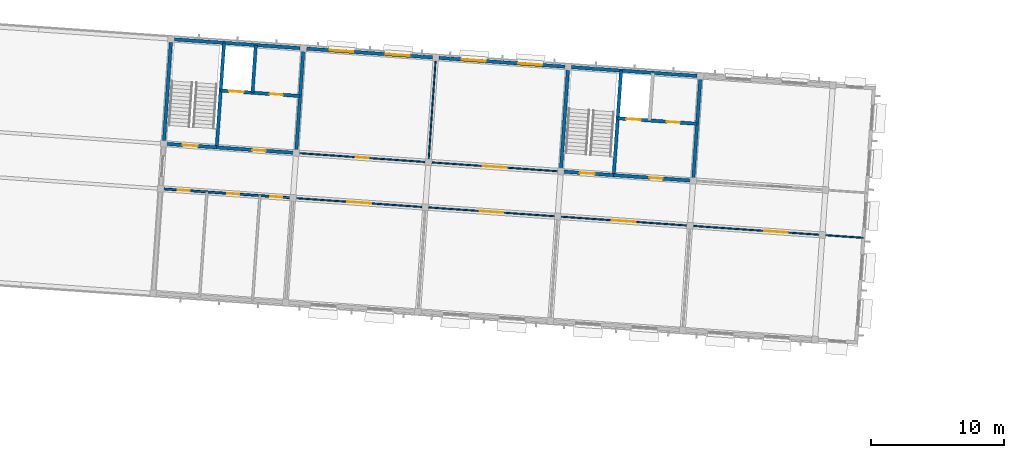
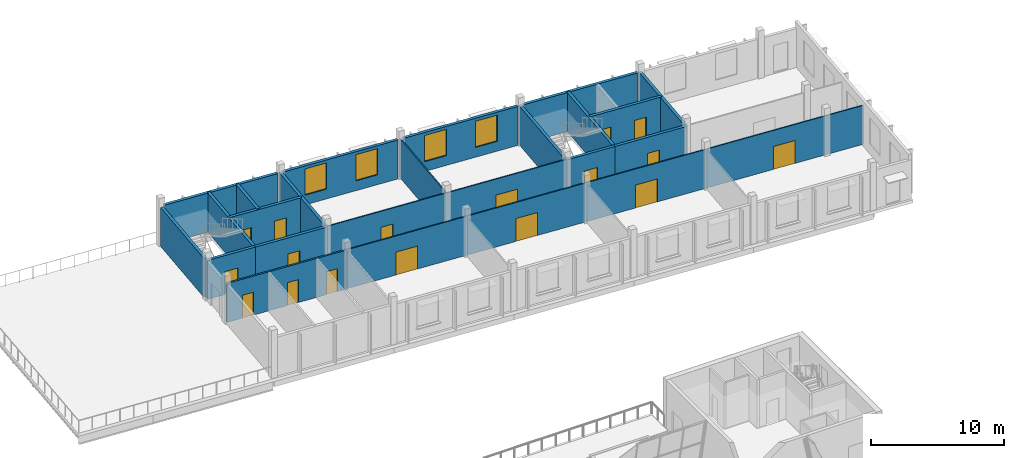
# One storey, part 37 of 58: 21 walls, 17 doors, 4 windows, 21 openings.
"""IFC4 building model written with IfcOpenShell, lengths in metres."""

from ifc_helpers import new_model, si_unit, direction, frame, frame_2d, origin, place, context, subcontext, project, spatial, rectangle, extrude, material, layer, layer_set, type_object, element, fill, save


model = new_model("IFC4")

# Units and contexts
model_context = context("Model", 3, precision=1e-05, world=origin(), true_north=direction((0.0, 1.0)))
body_context = subcontext(model_context, "Body", "Model", "MODEL_VIEW")
ifc_project = project(units=[si_unit("LENGTHUNIT", "METRE"), si_unit("AREAUNIT", "SQUARE_METRE"), si_unit("VOLUMEUNIT", "CUBIC_METRE"), si_unit("PLANEANGLEUNIT", "RADIAN"), si_unit("MASSUNIT", "GRAM", prefix="KILO")], contexts=[model_context])

# Site, building, storey
site_placement = place(None, origin())
site = spatial("IfcSite", under=ifc_project, at=site_placement, CompositionType="ELEMENT")
building_placement = place(site_placement, origin())
building = spatial("IfcBuilding", under=site, at=building_placement, Name="Windward Yard Aquatics Centre", CompositionType="ELEMENT")
storey_placement = place(building_placement, frame((0.0, 0.0, 13.800048828125)))
storey = spatial("IfcBuildingStorey", under=building, at=storey_placement, Name="L03", CompositionType="ELEMENT", Elevation=13.800048828125)

# Walls
ifc_material_1 = material(Name="Concrete C40/50", Category="concrete")
ifc_layer_1 = layer(ifc_material_1, 0.25)
ifc_layer_set_1 = layer_set([ifc_layer_1], Name="W RC core wall 250 Concrete C40/50")
wall_type_1 = type_object("IfcWallType", Name="W RC core wall 250 Concrete C40/50", PredefinedType="SOLIDWALL", material=ifc_layer_set_1)
for number, where, z_axis, x_axis, name in (
    (1, (119.427490234375, 135.30322265625, 0.0), (0.0, 0.0, 1.0), (0.997564674448, -0.06974754686, 0.0), "W.FW.L03.N.46.8"),
    (2, (149.3544921875, 133.210693359375, 0.0), (0.0, 0.0, 1.0), (0.997562886035, -0.069773120941, 0.0), "W.FW.L03.N.76.8"),
):
    element("IfcWall", number, at=place(storey_placement, frame(where, z_axis=z_axis, x_axis=x_axis)), inside=storey, type_object=wall_type_1, Name=name, PredefinedType="SOLIDWALL", context=body_context, shape_type="SweptSolid", body=[
        extrude(rectangle(XDim=9.5, YDim=0.25, at=frame_2d((4.75, 0.0))), origin(), (0.0, 0.0, 1.0), 3.570068359375),
    ])
wall_1_placement = place(storey_placement, frame((118.64453125, 127.689453125, 0.0), z_axis=(0.0, 0.0, 1.0), x_axis=(0.069746391472, 0.99756475523, 0.0)))
element("IfcWall", 3, at=wall_1_placement, inside=storey, type_object=wall_type_1, Name="W.FW.L03.W.11.9", PredefinedType="SOLIDWALL", context=body_context, shape_type="SweptSolid", body=[
    extrude(rectangle(XDim=7.39990234375, YDim=0.25, at=frame_2d((3.699951171875, 0.0))), origin(), (0.0, 0.0, 1.0), 3.570068359375),
])
wall_2_placement = place(storey_placement, frame((122.617431640625, 127.160888671875, 0.0), z_axis=(0.0, 0.0, 1.0), x_axis=(0.0697491702, 0.997564560947, 0.0)))
element("IfcWall", 4, at=wall_2_placement, inside=storey, type_object=wall_type_1, Name="W.WL.L03.002", PredefinedType="SOLIDWALL", context=body_context, shape_type="SweptSolid", body=[
    extrude(rectangle(XDim=7.900146484375, YDim=0.25, at=frame_2d((3.9501953125, 0.0))), origin(), (0.0, 0.0, 1.0), 3.570068359375),
])
wall_3_placement = place(storey_placement, frame((125.3115234375, 131.283203125, 0.0), z_axis=(0.0, 0.0, 1.0), x_axis=(0.069719119461, 0.997566661623, 0.0)))
element("IfcWall", 5, at=wall_3_placement, inside=storey, type_object=wall_type_1, Name="W.WL.L03.003", PredefinedType="SOLIDWALL", context=body_context, shape_type="SweptSolid", body=[
    extrude(rectangle(XDim=3.599853515625, YDim=0.25, at=frame_2d((1.7998046875, 0.0))), origin(), (0.0, 0.0, 1.0), 3.570068359375),
])
wall_4_placement = place(storey_placement, frame((128.602783203125, 126.742431640625, 0.0), z_axis=(0.0, 0.0, 1.0), x_axis=(0.0697491702, 0.997564560947, 0.0)))
element("IfcWall", 6, at=wall_4_placement, inside=storey, type_object=wall_type_1, Name="W.WL.L03.006", PredefinedType="SOLIDWALL", context=body_context, shape_type="SweptSolid", body=[
    extrude(rectangle(XDim=7.900146484375, YDim=0.25, at=frame_2d((3.9501953125, 0.0))), origin(), (0.0, 0.0, 1.0), 3.570068359375),
])
for number, where, z_axis, x_axis, name in (
    (7, (148.553955078125, 125.347412109375, 0.0), (0.0, 0.0, 1.0), (0.069751320509, 0.997564410596, 0.0), "W.WL.L03.010"),
    (8, (152.544189453125, 125.068359375, 0.0), (0.0, 0.0, 1.0), (0.069782074492, 0.997562259751, 0.0), "W.WL.L03.011"),
):
    element("IfcWall", number, at=place(storey_placement, frame(where, z_axis=z_axis, x_axis=x_axis)), inside=storey, type_object=wall_type_1, Name=name, PredefinedType="SOLIDWALL", context=body_context, shape_type="SweptSolid", body=[
        extrude(rectangle(XDim=7.89990234375, YDim=0.25, at=frame_2d((3.949951171875, 0.0))), origin(), (0.0, 0.0, 1.0), 3.570068359375),
    ])
wall_5_placement = place(storey_placement, frame((158.52978515625, 124.649658203125, 0.0), z_axis=(0.0, 0.0, 1.0), x_axis=(0.0697491702, 0.997564560947, 0.0)))
element("IfcWall", 9, at=wall_5_placement, inside=storey, type_object=wall_type_1, Name="W.WL.L03.014", PredefinedType="SOLIDWALL", context=body_context, shape_type="SweptSolid", body=[
    extrude(rectangle(XDim=7.900146484375, YDim=0.25, at=frame_2d((3.9501953125, 0.0))), origin(), (0.0, 0.0, 1.0), 3.570068359375),
])

# Wall, opening, door
wall_6_placement = place(storey_placement, frame((118.627197265625, 127.43994140625, 0.0), z_axis=(0.0, 0.0, 1.0), x_axis=(0.997563556766, -0.069763530677, 0.0)))
wall_6 = element("IfcWall", 10, at=wall_6_placement, inside=storey, type_object=wall_type_1, Name="W.WL.L03.017", PredefinedType="SOLIDWALL", context=body_context, shape_type="SweptSolid", body=[
    extrude(rectangle(XDim=4.0, YDim=0.25, at=frame_2d((2.0, 0.0))), origin(), (0.0, 0.0, 1.0), 3.570068359375),
])
opening_1_placement = place(wall_6_placement, frame((1.449951171875, 0.0, 0.0)))
opening_1 = element("IfcOpeningElement", 11, at=opening_1_placement, cuts=wall_6, Name="Opening W3012", PredefinedType="OPENING", context=body_context, shape_type="SweptSolid", body=[
    extrude(rectangle(XDim=1.10009765625, YDim=2.10009765625, at=frame_2d((0.550048828125, 1.050048828125))), frame((0.0, 0.135009765625, 0.0), z_axis=(0.0, -1.0, 0.0), x_axis=(1.0, 0.0, 0.0)), (0.0, 0.0, 1.0), 0.27001953125),
])
ifc_material_2 = material(Name="Steel fire door leaf", Category="steel")
door_type_1 = type_object("IfcDoorType", Name="W stair door FD60 1100x2100", OperationType="SINGLE_SWING_LEFT", PredefinedType="DOOR", material=ifc_material_2)
door_1_placement = place(opening_1_placement, origin())
door_1 = element("IfcDoor", 12, at=door_1_placement, inside=storey, type_object=door_type_1, Name="W.DRI.L03.011", OperationType="SINGLE_SWING_RIGHT", OverallHeight=2.10009765625, OverallWidth=1.10009765625, PredefinedType="DOOR", context=body_context, shape_type="SweptSolid", body=[
    extrude(rectangle(XDim=1.10009765625, YDim=2.10009765625, at=frame_2d((0.550048828125, 1.050048828125))), frame((0.0, 0.02490234375, 0.0), z_axis=(0.0, -1.0, 0.0), x_axis=(1.0, 0.0, 0.0)), (0.0, 0.0, 1.0), 0.050048828125),
])
fill(opening_1, door_1)

wall_7_placement = place(storey_placement, frame((122.617431640625, 127.160888671875, 0.0), z_axis=(0.0, 0.0, 1.0), x_axis=(0.997564972454, -0.069743284499, 0.0)))
wall_7 = element("IfcWall", 13, at=wall_7_placement, inside=storey, type_object=wall_type_1, Name="W.WL.L03.018", PredefinedType="SOLIDWALL", context=body_context, shape_type="SweptSolid", body=[
    extrude(rectangle(XDim=6.0, YDim=0.25, at=frame_2d((3.0, 0.0))), origin(), (0.0, 0.0, 1.0), 3.570068359375),
])
opening_2_placement = place(wall_7_placement, frame((2.699951171875, 0.0, 0.0)))
opening_2 = element("IfcOpeningElement", 14, at=opening_2_placement, cuts=wall_7, Name="Opening W3013", PredefinedType="OPENING", context=body_context, shape_type="SweptSolid", body=[
    extrude(rectangle(XDim=1.0, YDim=2.10009765625, at=frame_2d((0.5, 1.050048828125))), frame((0.0, 0.135009765625, 0.0), z_axis=(0.0, -1.0, 0.0), x_axis=(1.0, 0.0, 0.0)), (0.0, 0.0, 1.0), 0.27001953125),
])
door_type_2 = type_object("IfcDoorType", Name="W fire door FD60 1000x2100", OperationType="SINGLE_SWING_LEFT", PredefinedType="DOOR", material=ifc_material_2)
door_2_placement = place(opening_2_placement, origin())
door_2 = element("IfcDoor", 15, at=door_2_placement, inside=storey, type_object=door_type_2, Name="W.DRI.L03.012", OperationType="SINGLE_SWING_LEFT", OverallHeight=2.10009765625, OverallWidth=1.0, PredefinedType="DOOR", context=body_context, shape_type="SweptSolid", body=[
    extrude(rectangle(XDim=1.0, YDim=2.10009765625, at=frame_2d((0.5, 1.050048828125))), frame((0.0, 0.02490234375, 0.0), z_axis=(0.0, -1.0, 0.0), x_axis=(1.0, 0.0, 0.0)), (0.0, 0.0, 1.0), 0.050048828125),
])
fill(opening_2, door_2)

wall_8_placement = place(storey_placement, frame((148.553955078125, 125.347412109375, 0.0), z_axis=(0.0, 0.0, 1.0), x_axis=(0.997563556766, -0.069763530677, 0.0)))
wall_8 = element("IfcWall", 16, at=wall_8_placement, inside=storey, type_object=wall_type_1, Name="W.WL.L03.020", PredefinedType="SOLIDWALL", context=body_context, shape_type="SweptSolid", body=[
    extrude(rectangle(XDim=4.0, YDim=0.25, at=frame_2d((2.0, 0.0))), origin(), (0.0, 0.0, 1.0), 3.570068359375),
])
opening_3_placement = place(wall_8_placement, frame((1.449951171875, 0.0, 0.0)))
opening_3 = element("IfcOpeningElement", 17, at=opening_3_placement, cuts=wall_8, Name="Opening W3016", PredefinedType="OPENING", context=body_context, shape_type="SweptSolid", body=[
    extrude(rectangle(XDim=1.10009765625, YDim=2.10009765625, at=frame_2d((0.550048828125, 1.050048828125))), frame((0.0, 0.135009765625, 0.0), z_axis=(0.0, -1.0, 0.0), x_axis=(1.0, 0.0, 0.0)), (0.0, 0.0, 1.0), 0.27001953125),
])
door_3_placement = place(opening_3_placement, origin())
door_3 = element("IfcDoor", 18, at=door_3_placement, inside=storey, type_object=door_type_1, Name="W.DRI.L03.015", OperationType="SINGLE_SWING_RIGHT", OverallHeight=2.10009765625, OverallWidth=1.10009765625, PredefinedType="DOOR", context=body_context, shape_type="SweptSolid", body=[
    extrude(rectangle(XDim=1.10009765625, YDim=2.10009765625, at=frame_2d((0.550048828125, 1.050048828125))), frame((0.0, 0.02490234375, 0.0), z_axis=(0.0, -1.0, 0.0), x_axis=(1.0, 0.0, 0.0)), (0.0, 0.0, 1.0), 0.050048828125),
])
fill(opening_3, door_3)

wall_9_placement = place(storey_placement, frame((152.544189453125, 125.068359375, 0.0), z_axis=(0.0, 0.0, 1.0), x_axis=(0.997562338811, -0.069780944286, 0.0)))
wall_9 = element("IfcWall", 19, at=wall_9_placement, inside=storey, type_object=wall_type_1, Name="W.WL.L03.021", PredefinedType="SOLIDWALL", context=body_context, shape_type="SweptSolid", body=[
    extrude(rectangle(XDim=6.000244140625, YDim=0.25, at=frame_2d((3.0, 0.0))), origin(), (0.0, 0.0, 1.0), 3.570068359375),
])
opening_4_placement = place(wall_9_placement, frame((2.699951171875, 0.0, 0.0)))
opening_4 = element("IfcOpeningElement", 20, at=opening_4_placement, cuts=wall_9, Name="Opening W3017", PredefinedType="OPENING", context=body_context, shape_type="SweptSolid", body=[
    extrude(rectangle(XDim=1.0, YDim=2.10009765625, at=frame_2d((0.5, 1.050048828125))), frame((0.0, 0.135009765625, 0.0), z_axis=(0.0, -1.0, 0.0), x_axis=(1.0, 0.0, 0.0)), (0.0, 0.0, 1.0), 0.27001953125),
])
door_4_placement = place(opening_4_placement, origin())
door_4 = element("IfcDoor", 21, at=door_4_placement, inside=storey, type_object=door_type_2, Name="W.DRI.L03.016", OperationType="SINGLE_SWING_LEFT", OverallHeight=2.10009765625, OverallWidth=1.0, PredefinedType="DOOR", context=body_context, shape_type="SweptSolid", body=[
    extrude(rectangle(XDim=1.0, YDim=2.10009765625, at=frame_2d((0.5, 1.050048828125))), frame((0.0, 0.02490234375, 0.0), z_axis=(0.0, -1.0, 0.0), x_axis=(1.0, 0.0, 0.0)), (0.0, 0.0, 1.0), 0.050048828125),
])
fill(opening_4, door_4)

# Wall, openings, doors
wall_10_placement = place(storey_placement, frame((122.917236328125, 131.450439453125, 0.0), z_axis=(0.0, 0.0, 1.0), x_axis=(0.997564972454, -0.069743284499, 0.0)))
wall_10 = element("IfcWall", 22, at=wall_10_placement, inside=storey, type_object=wall_type_1, Name="W.WL.L03.023", PredefinedType="SOLIDWALL", context=body_context, shape_type="SweptSolid", body=[
    extrude(rectangle(XDim=6.0, YDim=0.25, at=frame_2d((3.0, 0.0))), origin(), (0.0, 0.0, 1.0), 3.570068359375),
])
opening_5_placement = place(wall_10_placement, frame((3.699951171875, 0.0, 0.0)))
opening_5 = element("IfcOpeningElement", 23, at=opening_5_placement, cuts=wall_10, Name="Opening W3014", PredefinedType="OPENING", context=body_context, shape_type="SweptSolid", body=[
    extrude(rectangle(XDim=1.0, YDim=2.10009765625, at=frame_2d((0.5, 1.050048828125))), frame((0.0, 0.135009765625, 0.0), z_axis=(0.0, -1.0, 0.0), x_axis=(1.0, 0.0, 0.0)), (0.0, 0.0, 1.0), 0.27001953125),
])
opening_6_placement = place(wall_10_placement, frame((0.64990234375, 0.0, 0.0)))
opening_6 = element("IfcOpeningElement", 24, at=opening_6_placement, cuts=wall_10, Name="Opening W3015", PredefinedType="OPENING", context=body_context, shape_type="SweptSolid", body=[
    extrude(rectangle(XDim=1.10009765625, YDim=2.10009765625, at=frame_2d((0.550048828125, 1.050048828125))), frame((0.0, 0.135009765625, 0.0), z_axis=(0.0, -1.0, 0.0), x_axis=(1.0, 0.0, 0.0)), (0.0, 0.0, 1.0), 0.27001953125),
])
door_5_placement = place(opening_5_placement, origin())
door_5 = element("IfcDoor", 25, at=door_5_placement, inside=storey, type_object=door_type_2, Name="W.DRI.L03.013", OperationType="SINGLE_SWING_RIGHT", OverallHeight=2.10009765625, OverallWidth=1.0, PredefinedType="DOOR", context=body_context, shape_type="SweptSolid", body=[
    extrude(rectangle(XDim=1.0, YDim=2.10009765625, at=frame_2d((0.5, 1.050048828125))), frame((0.0, 0.02490234375, 0.0), z_axis=(0.0, -1.0, 0.0), x_axis=(1.0, 0.0, 0.0)), (0.0, 0.0, 1.0), 0.050048828125),
])
fill(opening_5, door_5)
ifc_material_3 = material(Name="Stainless steel sliding door leaf", Category="steel")
door_type_3 = type_object("IfcDoorType", Name="W lift landing door 1100x2100", OperationType="SLIDING_TO_LEFT", PredefinedType="DOOR", material=ifc_material_3)
door_6_placement = place(opening_6_placement, origin())
door_6 = element("IfcDoor", 26, at=door_6_placement, inside=storey, type_object=door_type_3, Name="Landing door W L03", OperationType="SLIDING_TO_LEFT", OverallHeight=2.10009765625, OverallWidth=1.10009765625, PredefinedType="DOOR", context=body_context, shape_type="SweptSolid", body=[
    extrude(rectangle(XDim=1.10009765625, YDim=2.10009765625, at=frame_2d((0.550048828125, 1.050048828125))), frame((0.0, 0.02490234375, 0.0), z_axis=(0.0, -1.0, 0.0), x_axis=(1.0, 0.0, 0.0)), (0.0, 0.0, 1.0), 0.050048828125),
])
fill(opening_6, door_6)

wall_11_placement = place(storey_placement, frame((152.84423828125, 129.35791015625, 0.0), z_axis=(0.0, 0.0, 1.0), x_axis=(0.997562140671, -0.069783776768, 0.0)))
wall_11 = element("IfcWall", 27, at=wall_11_placement, inside=storey, type_object=wall_type_1, Name="W.WL.L03.024", PredefinedType="SOLIDWALL", context=body_context, shape_type="SweptSolid", body=[
    extrude(rectangle(XDim=6.0, YDim=0.25, at=frame_2d((3.0, 0.0))), origin(), (0.0, 0.0, 1.0), 3.570068359375),
])
opening_7_placement = place(wall_11_placement, frame((3.699951171875, 0.0, 0.0)))
opening_7 = element("IfcOpeningElement", 28, at=opening_7_placement, cuts=wall_11, Name="Opening W3018", PredefinedType="OPENING", context=body_context, shape_type="SweptSolid", body=[
    extrude(rectangle(XDim=1.0, YDim=2.10009765625, at=frame_2d((0.5, 1.050048828125))), frame((0.0, 0.135009765625, 0.0), z_axis=(0.0, -1.0, 0.0), x_axis=(1.0, 0.0, 0.0)), (0.0, 0.0, 1.0), 0.27001953125),
])
opening_8_placement = place(wall_11_placement, frame((0.64990234375, 0.0, 0.0)))
opening_8 = element("IfcOpeningElement", 29, at=opening_8_placement, cuts=wall_11, Name="Opening W3019", PredefinedType="OPENING", context=body_context, shape_type="SweptSolid", body=[
    extrude(rectangle(XDim=1.10009765625, YDim=2.10009765625, at=frame_2d((0.550048828125, 1.050048828125))), frame((0.0, 0.135009765625, 0.0), z_axis=(0.0, -1.0, 0.0), x_axis=(1.0, 0.0, 0.0)), (0.0, 0.0, 1.0), 0.27001953125),
])
door_7_placement = place(opening_7_placement, origin())
door_7 = element("IfcDoor", 30, at=door_7_placement, inside=storey, type_object=door_type_2, Name="W.DRI.L03.017", OperationType="SINGLE_SWING_RIGHT", OverallHeight=2.10009765625, OverallWidth=1.0, PredefinedType="DOOR", context=body_context, shape_type="SweptSolid", body=[
    extrude(rectangle(XDim=1.0, YDim=2.10009765625, at=frame_2d((0.5, 1.050048828125))), frame((0.0, 0.02490234375, 0.0), z_axis=(0.0, -1.0, 0.0), x_axis=(1.0, 0.0, 0.0)), (0.0, 0.0, 1.0), 0.050048828125),
])
fill(opening_7, door_7)
door_8_placement = place(opening_8_placement, origin())
door_8 = element("IfcDoor", 31, at=door_8_placement, inside=storey, type_object=door_type_3, Name="Landing door E L03", OperationType="SLIDING_TO_LEFT", OverallHeight=2.10009765625, OverallWidth=1.10009765625, PredefinedType="DOOR", context=body_context, shape_type="SweptSolid", body=[
    extrude(rectangle(XDim=1.10009765625, YDim=2.10009765625, at=frame_2d((0.550048828125, 1.050048828125))), frame((0.0, 0.02490234375, 0.0), z_axis=(0.0, -1.0, 0.0), x_axis=(1.0, 0.0, 0.0)), (0.0, 0.0, 1.0), 0.050048828125),
])
fill(opening_8, door_8)

# Wall, openings, windows
ifc_layer_2 = layer(ifc_material_1, 0.25)
ifc_layer_set_2 = layer_set([ifc_layer_2], Name="W facade wall 250 Precast Concrete C40/50")
wall_type_2 = type_object("IfcWallType", Name="W facade wall 250 Precast Concrete C40/50", PredefinedType="SOLIDWALL", material=ifc_layer_set_2)
wall_12_placement = place(storey_placement, frame((129.4033203125, 134.605712890625, 0.0), z_axis=(0.0, 0.0, 1.0), x_axis=(0.997564674448, -0.06974754686, 0.0)))
wall_12 = element("IfcWall", 32, at=wall_12_placement, inside=storey, type_object=wall_type_2, Name="W.FW.L03.N.56.8", PredefinedType="SOLIDWALL", context=body_context, shape_type="SweptSolid", body=[
    extrude(rectangle(XDim=9.5, YDim=0.25, at=frame_2d((4.75, 0.0))), origin(), (0.0, 0.0, 1.0), 3.570068359375),
])
opening_9_placement = place(wall_12_placement, frame((1.72509765625, 0.0, 0.89990234375)))
opening_9 = element("IfcOpeningElement", 33, at=opening_9_placement, cuts=wall_12, Name="Opening W3510", PredefinedType="OPENING", context=body_context, shape_type="SweptSolid", body=[
    extrude(rectangle(XDim=1.800048828125, YDim=2.39990234375, at=frame_2d((0.89990234375, 1.199951171875))), frame((0.0, 0.135009765625, 0.0), z_axis=(0.0, -1.0, 0.0), x_axis=(1.0, 0.0, 0.0)), (0.0, 0.0, 1.0), 0.27001953125),
])
opening_10_placement = place(wall_12_placement, frame((5.97509765625, 0.0, 0.89990234375)))
opening_10 = element("IfcOpeningElement", 34, at=opening_10_placement, cuts=wall_12, Name="Opening W3511", PredefinedType="OPENING", context=body_context, shape_type="SweptSolid", body=[
    extrude(rectangle(XDim=1.800048828125, YDim=2.39990234375, at=frame_2d((0.89990234375, 1.199951171875))), frame((0.0, 0.135009765625, 0.0), z_axis=(0.0, -1.0, 0.0), x_axis=(1.0, 0.0, 0.0)), (0.0, 0.0, 1.0), 0.27001953125),
])
ifc_material_4 = material(Name="Aluminium framed glazing", Category="aluminium")
window_type = type_object("IfcWindowType", Name="W window 1800x2400", PartitioningType="SINGLE_PANEL", PredefinedType="WINDOW", material=ifc_material_4)
window_1_placement = place(opening_9_placement, origin())
window_1 = element("IfcWindow", 35, at=window_1_placement, inside=storey, type_object=window_type, Name="W.WN.L03.W3510", OverallHeight=2.39990234375, OverallWidth=1.800048828125, PartitioningType="SINGLE_PANEL", PredefinedType="WINDOW", context=body_context, shape_type="SweptSolid", body=[
    extrude(rectangle(XDim=1.800048828125, YDim=2.39990234375, at=frame_2d((0.89990234375, 1.199951171875))), frame((0.0, 0.030029296875, 0.0), z_axis=(0.0, -1.0, 0.0), x_axis=(1.0, 0.0, 0.0)), (0.0, 0.0, 1.0), 0.06005859375),
])
fill(opening_9, window_1)
window_2_placement = place(opening_10_placement, origin())
window_2 = element("IfcWindow", 36, at=window_2_placement, inside=storey, type_object=window_type, Name="W.WN.L03.W3511", OverallHeight=2.39990234375, OverallWidth=1.800048828125, PartitioningType="SINGLE_PANEL", PredefinedType="WINDOW", context=body_context, shape_type="SweptSolid", body=[
    extrude(rectangle(XDim=1.800048828125, YDim=2.39990234375, at=frame_2d((0.89990234375, 1.199951171875))), frame((0.0, 0.030029296875, 0.0), z_axis=(0.0, -1.0, 0.0), x_axis=(1.0, 0.0, 0.0)), (0.0, 0.0, 1.0), 0.06005859375),
])
fill(opening_10, window_2)

wall_13_placement = place(storey_placement, frame((139.37890625, 133.908203125, 0.0), z_axis=(0.0, 0.0, 1.0), x_axis=(0.997564674448, -0.06974754686, 0.0)))
wall_13 = element("IfcWall", 37, at=wall_13_placement, inside=storey, type_object=wall_type_2, Name="W.FW.L03.N.66.8", PredefinedType="SOLIDWALL", context=body_context, shape_type="SweptSolid", body=[
    extrude(rectangle(XDim=9.5, YDim=0.25, at=frame_2d((4.75, 0.0))), origin(), (0.0, 0.0, 1.0), 3.570068359375),
])
opening_11_placement = place(wall_13_placement, frame((1.72509765625, 0.0, 0.89990234375)))
opening_11 = element("IfcOpeningElement", 38, at=opening_11_placement, cuts=wall_13, Name="Opening W3512", PredefinedType="OPENING", context=body_context, shape_type="SweptSolid", body=[
    extrude(rectangle(XDim=1.800048828125, YDim=2.39990234375, at=frame_2d((0.89990234375, 1.199951171875))), frame((0.0, 0.135009765625, 0.0), z_axis=(0.0, -1.0, 0.0), x_axis=(1.0, 0.0, 0.0)), (0.0, 0.0, 1.0), 0.27001953125),
])
opening_12_placement = place(wall_13_placement, frame((5.97509765625, 0.0, 0.89990234375)))
opening_12 = element("IfcOpeningElement", 39, at=opening_12_placement, cuts=wall_13, Name="Opening W3513", PredefinedType="OPENING", context=body_context, shape_type="SweptSolid", body=[
    extrude(rectangle(XDim=1.800048828125, YDim=2.39990234375, at=frame_2d((0.89990234375, 1.199951171875))), frame((0.0, 0.135009765625, 0.0), z_axis=(0.0, -1.0, 0.0), x_axis=(1.0, 0.0, 0.0)), (0.0, 0.0, 1.0), 0.27001953125),
])
window_3_placement = place(opening_11_placement, origin())
window_3 = element("IfcWindow", 40, at=window_3_placement, inside=storey, type_object=window_type, Name="W.WN.L03.W3512", OverallHeight=2.39990234375, OverallWidth=1.800048828125, PartitioningType="SINGLE_PANEL", PredefinedType="WINDOW", context=body_context, shape_type="SweptSolid", body=[
    extrude(rectangle(XDim=1.800048828125, YDim=2.39990234375, at=frame_2d((0.89990234375, 1.199951171875))), frame((0.0, 0.030029296875, 0.0), z_axis=(0.0, -1.0, 0.0), x_axis=(1.0, 0.0, 0.0)), (0.0, 0.0, 1.0), 0.06005859375),
])
fill(opening_11, window_3)
window_4_placement = place(opening_12_placement, origin())
window_4 = element("IfcWindow", 41, at=window_4_placement, inside=storey, type_object=window_type, Name="W.WN.L03.W3513", OverallHeight=2.39990234375, OverallWidth=1.800048828125, PartitioningType="SINGLE_PANEL", PredefinedType="WINDOW", context=body_context, shape_type="SweptSolid", body=[
    extrude(rectangle(XDim=1.800048828125, YDim=2.39990234375, at=frame_2d((0.89990234375, 1.199951171875))), frame((0.0, 0.030029296875, 0.0), z_axis=(0.0, -1.0, 0.0), x_axis=(1.0, 0.0, 0.0)), (0.0, 0.0, 1.0), 0.06005859375),
])
fill(opening_12, window_4)

# Wall
ifc_material_5 = material(Name="Plasterboard on steel stud partition", Category="steel")
ifc_layer_3 = layer(ifc_material_5, 0.10009765625)
ifc_layer_set_3 = layer_set([ifc_layer_3], Name="W partition 100")
wall_type_3 = type_object("IfcWallType", Name="W partition 100", PredefinedType="PARTITIONING", material=ifc_layer_set_3)
wall_14_placement = place(storey_placement, frame((138.578369140625, 126.044921875, 0.0), z_axis=(0.0, 0.0, 1.0), x_axis=(0.069751320509, 0.997564410596, 0.0)))
element("IfcWall", 42, at=wall_14_placement, inside=storey, type_object=wall_type_3, Name="W.WL.L03.008", PredefinedType="PARTITIONING", context=body_context, shape_type="SweptSolid", body=[
    extrude(rectangle(XDim=7.89990234375, YDim=0.10009765625, at=frame_2d((3.949951171875, 0.0))), origin(), (0.0, 0.0, 1.0), 3.570068359375),
])

# Wall, openings, doors
wall_15_placement = place(storey_placement, frame((128.365478515625, 123.3505859375, 0.0), z_axis=(0.0, 0.0, 1.0), x_axis=(0.997564314742, -0.06975269137, 0.0)))
wall_15 = element("IfcWall", 43, at=wall_15_placement, inside=storey, type_object=wall_type_3, Name="W.WL.L03.016", PredefinedType="PARTITIONING", context=body_context, shape_type="SweptSolid", body=[
    extrude(rectangle(XDim=43.10009765625, YDim=0.10009765625, at=frame_2d((21.550048828125, 0.0))), origin(), (0.0, 0.0, 1.0), 3.570068359375),
])
opening_13_placement = place(wall_15_placement, frame((4.10009765625, 0.0, 0.0)))
opening_13 = element("IfcOpeningElement", 44, at=opening_13_placement, cuts=wall_15, Name="Opening W3005", PredefinedType="OPENING", context=body_context, shape_type="SweptSolid", body=[
    extrude(rectangle(XDim=1.800048828125, YDim=2.10009765625, at=frame_2d((0.89990234375, 1.050048828125))), frame((0.0, 0.06005859375, 0.0), z_axis=(0.0, -1.0, 0.0), x_axis=(1.0, 0.0, 0.0)), (0.0, 0.0, 1.0), 0.1201171875),
])
opening_14_placement = place(wall_15_placement, frame((14.10009765625, 0.0, 0.0)))
opening_14 = element("IfcOpeningElement", 45, at=opening_14_placement, cuts=wall_15, Name="Opening W3006", PredefinedType="OPENING", context=body_context, shape_type="SweptSolid", body=[
    extrude(rectangle(XDim=1.800048828125, YDim=2.10009765625, at=frame_2d((0.89990234375, 1.050048828125))), frame((0.0, 0.06005859375, 0.0), z_axis=(0.0, -1.0, 0.0), x_axis=(1.0, 0.0, 0.0)), (0.0, 0.0, 1.0), 0.1201171875),
])
opening_15_placement = place(wall_15_placement, frame((24.10009765625, 0.0, 0.0)))
opening_15 = element("IfcOpeningElement", 46, at=opening_15_placement, cuts=wall_15, Name="Opening W3007", PredefinedType="OPENING", context=body_context, shape_type="SweptSolid", body=[
    extrude(rectangle(XDim=1.800048828125, YDim=2.10009765625, at=frame_2d((0.89990234375, 1.050048828125))), frame((0.0, 0.06005859375, 0.0), z_axis=(0.0, -1.0, 0.0), x_axis=(1.0, 0.0, 0.0)), (0.0, 0.0, 1.0), 0.1201171875),
])
opening_16_placement = place(wall_15_placement, frame((35.60009765625, 0.0, 0.0)))
opening_16 = element("IfcOpeningElement", 47, at=opening_16_placement, cuts=wall_15, Name="Opening W3008", PredefinedType="OPENING", context=body_context, shape_type="SweptSolid", body=[
    extrude(rectangle(XDim=1.800048828125, YDim=2.10009765625, at=frame_2d((0.89990234375, 1.050048828125))), frame((0.0, 0.06005859375, 0.0), z_axis=(0.0, -1.0, 0.0), x_axis=(1.0, 0.0, 0.0)), (0.0, 0.0, 1.0), 0.1201171875),
])
ifc_material_6 = material(Name="Timber door leaf", Category="wood")
door_type_4 = type_object("IfcDoorType", Name="W double door 1800x2100", OperationType="DOUBLE_DOOR_SINGLE_SWING", PredefinedType="DOOR", material=ifc_material_6)
door_9_placement = place(opening_13_placement, origin())
door_9 = element("IfcDoor", 48, at=door_9_placement, inside=storey, type_object=door_type_4, Name="W.DRI.L03.004", OperationType="DOUBLE_DOOR_SINGLE_SWING", OverallHeight=2.10009765625, OverallWidth=1.800048828125, PredefinedType="DOOR", context=body_context, shape_type="SweptSolid", body=[
    extrude(rectangle(XDim=1.800048828125, YDim=2.10009765625, at=frame_2d((0.89990234375, 1.050048828125))), frame((0.0, 0.02490234375, 0.0), z_axis=(0.0, -1.0, 0.0), x_axis=(1.0, 0.0, 0.0)), (0.0, 0.0, 1.0), 0.050048828125),
])
fill(opening_13, door_9)
door_10_placement = place(opening_14_placement, origin())
door_10 = element("IfcDoor", 49, at=door_10_placement, inside=storey, type_object=door_type_4, Name="W.DRI.L03.005", OperationType="DOUBLE_DOOR_SINGLE_SWING", OverallHeight=2.10009765625, OverallWidth=1.800048828125, PredefinedType="DOOR", context=body_context, shape_type="SweptSolid", body=[
    extrude(rectangle(XDim=1.800048828125, YDim=2.10009765625, at=frame_2d((0.89990234375, 1.050048828125))), frame((0.0, 0.02490234375, 0.0), z_axis=(0.0, -1.0, 0.0), x_axis=(1.0, 0.0, 0.0)), (0.0, 0.0, 1.0), 0.050048828125),
])
fill(opening_14, door_10)
door_11_placement = place(opening_15_placement, origin())
door_11 = element("IfcDoor", 50, at=door_11_placement, inside=storey, type_object=door_type_4, Name="W.DRI.L03.006", OperationType="DOUBLE_DOOR_SINGLE_SWING", OverallHeight=2.10009765625, OverallWidth=1.800048828125, PredefinedType="DOOR", context=body_context, shape_type="SweptSolid", body=[
    extrude(rectangle(XDim=1.800048828125, YDim=2.10009765625, at=frame_2d((0.89990234375, 1.050048828125))), frame((0.0, 0.02490234375, 0.0), z_axis=(0.0, -1.0, 0.0), x_axis=(1.0, 0.0, 0.0)), (0.0, 0.0, 1.0), 0.050048828125),
])
fill(opening_15, door_11)
door_12_placement = place(opening_16_placement, origin())
door_12 = element("IfcDoor", 51, at=door_12_placement, inside=storey, type_object=door_type_4, Name="W.DRI.L03.007", OperationType="DOUBLE_DOOR_SINGLE_SWING", OverallHeight=2.10009765625, OverallWidth=1.800048828125, PredefinedType="DOOR", context=body_context, shape_type="SweptSolid", body=[
    extrude(rectangle(XDim=1.800048828125, YDim=2.10009765625, at=frame_2d((0.89990234375, 1.050048828125))), frame((0.0, 0.02490234375, 0.0), z_axis=(0.0, -1.0, 0.0), x_axis=(1.0, 0.0, 0.0)), (0.0, 0.0, 1.0), 0.050048828125),
])
fill(opening_16, door_12)

wall_16_placement = place(storey_placement, frame((128.602783203125, 126.742431640625, 0.0), z_axis=(0.0, 0.0, 1.0), x_axis=(0.997564406228, -0.069751382981, 0.0)))
wall_16 = element("IfcWall", 52, at=wall_16_placement, inside=storey, type_object=wall_type_3, Name="W.WL.L03.019", PredefinedType="PARTITIONING", context=body_context, shape_type="SweptSolid", body=[
    extrude(rectangle(XDim=20.0, YDim=0.10009765625, at=frame_2d((10.0, 0.0))), origin(), (0.0, 0.0, 1.0), 3.570068359375),
])
opening_17_placement = place(wall_16_placement, frame((4.5, 0.0, 0.0)))
opening_17 = element("IfcOpeningElement", 53, at=opening_17_placement, cuts=wall_16, Name="Opening W3009", PredefinedType="OPENING", context=body_context, shape_type="SweptSolid", body=[
    extrude(rectangle(XDim=1.0, YDim=2.10009765625, at=frame_2d((0.5, 1.050048828125))), frame((0.0, 0.06005859375, 0.0), z_axis=(0.0, -1.0, 0.0), x_axis=(1.0, 0.0, 0.0)), (0.0, 0.0, 1.0), 0.1201171875),
])
opening_18_placement = place(wall_16_placement, frame((14.10009765625, 0.0, 0.0)))
opening_18 = element("IfcOpeningElement", 54, at=opening_18_placement, cuts=wall_16, Name="Opening W3010", PredefinedType="OPENING", context=body_context, shape_type="SweptSolid", body=[
    extrude(rectangle(XDim=1.800048828125, YDim=2.10009765625, at=frame_2d((0.89990234375, 1.050048828125))), frame((0.0, 0.06005859375, 0.0), z_axis=(0.0, -1.0, 0.0), x_axis=(1.0, 0.0, 0.0)), (0.0, 0.0, 1.0), 0.1201171875),
])
door_type_5 = type_object("IfcDoorType", Name="W door 1000x2100", OperationType="SINGLE_SWING_LEFT", PredefinedType="DOOR", material=ifc_material_6)
door_13_placement = place(opening_17_placement, origin())
door_13 = element("IfcDoor", 55, at=door_13_placement, inside=storey, type_object=door_type_5, Name="W.DRI.L03.008", OperationType="SINGLE_SWING_RIGHT", OverallHeight=2.10009765625, OverallWidth=1.0, PredefinedType="DOOR", context=body_context, shape_type="SweptSolid", body=[
    extrude(rectangle(XDim=1.0, YDim=2.10009765625, at=frame_2d((0.5, 1.050048828125))), frame((0.0, 0.02490234375, 0.0), z_axis=(0.0, -1.0, 0.0), x_axis=(1.0, 0.0, 0.0)), (0.0, 0.0, 1.0), 0.050048828125),
])
fill(opening_17, door_13)
door_14_placement = place(opening_18_placement, origin())
door_14 = element("IfcDoor", 56, at=door_14_placement, inside=storey, type_object=door_type_4, Name="W.DRI.L03.009", OperationType="DOUBLE_DOOR_SINGLE_SWING", OverallHeight=2.10009765625, OverallWidth=1.800048828125, PredefinedType="DOOR", context=body_context, shape_type="SweptSolid", body=[
    extrude(rectangle(XDim=1.800048828125, YDim=2.10009765625, at=frame_2d((0.89990234375, 1.050048828125))), frame((0.0, 0.02490234375, 0.0), z_axis=(0.0, -1.0, 0.0), x_axis=(1.0, 0.0, 0.0)), (0.0, 0.0, 1.0), 0.050048828125),
])
fill(opening_18, door_14)

ifc_material_7 = material(Name="Blockwork partition with tiled finish", Category="masonry")
ifc_layer_4 = layer(ifc_material_7, 0.14990234375)
ifc_layer_set_4 = layer_set([ifc_layer_4], Name="W partition 150 wet area")
wall_type_4 = type_object("IfcWallType", Name="W partition 150 wet area", PredefinedType="PARTITIONING", material=ifc_layer_set_4)
wall_17_placement = place(storey_placement, frame((118.389892578125, 124.04833984375, 0.0), z_axis=(0.0, 0.0, 1.0), x_axis=(0.997562707158, -0.069775678342, 0.0)))
wall_17 = element("IfcWall", 57, at=wall_17_placement, inside=storey, type_object=wall_type_4, Name="W.WL.L03.015", PredefinedType="PARTITIONING", context=body_context, shape_type="SweptSolid", body=[
    extrude(rectangle(XDim=10.0, YDim=0.14990234375, at=frame_2d((5.0, 0.0))), origin(), (0.0, 0.0, 1.0), 3.570068359375),
])
opening_19_placement = place(wall_17_placement, frame((1.300048828125, 0.0, 0.0)))
opening_19 = element("IfcOpeningElement", 58, at=opening_19_placement, cuts=wall_17, Name="Opening W3002", PredefinedType="OPENING", context=body_context, shape_type="SweptSolid", body=[
    extrude(rectangle(XDim=0.89990234375, YDim=2.10009765625, at=frame_2d((0.449951171875, 1.050048828125))), frame((0.0, 0.0849609375, 0.0), z_axis=(0.0, -1.0, 0.0), x_axis=(1.0, 0.0, 0.0)), (0.0, 0.0, 1.0), 0.169921875),
])
opening_20_placement = place(wall_17_placement, frame((5.050048828125, 0.0, 0.0)))
opening_20 = element("IfcOpeningElement", 59, at=opening_20_placement, cuts=wall_17, Name="Opening W3003", PredefinedType="OPENING", context=body_context, shape_type="SweptSolid", body=[
    extrude(rectangle(XDim=0.89990234375, YDim=2.10009765625, at=frame_2d((0.449951171875, 1.050048828125))), frame((0.0, 0.0849609375, 0.0), z_axis=(0.0, -1.0, 0.0), x_axis=(1.0, 0.0, 0.0)), (0.0, 0.0, 1.0), 0.169921875),
])
opening_21_placement = place(wall_17_placement, frame((8.300048828125, 0.0, 0.0)))
opening_21 = element("IfcOpeningElement", 60, at=opening_21_placement, cuts=wall_17, Name="Opening W3004", PredefinedType="OPENING", context=body_context, shape_type="SweptSolid", body=[
    extrude(rectangle(XDim=0.89990234375, YDim=2.10009765625, at=frame_2d((0.449951171875, 1.050048828125))), frame((0.0, 0.0849609375, 0.0), z_axis=(0.0, -1.0, 0.0), x_axis=(1.0, 0.0, 0.0)), (0.0, 0.0, 1.0), 0.169921875),
])
door_type_6 = type_object("IfcDoorType", Name="W door 900x2100", OperationType="SINGLE_SWING_LEFT", PredefinedType="DOOR", material=ifc_material_6)
door_15_placement = place(opening_19_placement, origin())
door_15 = element("IfcDoor", 61, at=door_15_placement, inside=storey, type_object=door_type_6, Name="W.DRI.L03.001", OperationType="SINGLE_SWING_LEFT", OverallHeight=2.10009765625, OverallWidth=0.89990234375, PredefinedType="DOOR", context=body_context, shape_type="SweptSolid", body=[
    extrude(rectangle(XDim=0.89990234375, YDim=2.10009765625, at=frame_2d((0.449951171875, 1.050048828125))), frame((0.0, 0.02490234375, 0.0), z_axis=(0.0, -1.0, 0.0), x_axis=(1.0, 0.0, 0.0)), (0.0, 0.0, 1.0), 0.050048828125),
])
fill(opening_19, door_15)
door_16_placement = place(opening_20_placement, origin())
door_16 = element("IfcDoor", 62, at=door_16_placement, inside=storey, type_object=door_type_6, Name="W.DRI.L03.002", OperationType="SINGLE_SWING_RIGHT", OverallHeight=2.10009765625, OverallWidth=0.89990234375, PredefinedType="DOOR", context=body_context, shape_type="SweptSolid", body=[
    extrude(rectangle(XDim=0.89990234375, YDim=2.10009765625, at=frame_2d((0.449951171875, 1.050048828125))), frame((0.0, 0.02490234375, 0.0), z_axis=(0.0, -1.0, 0.0), x_axis=(1.0, 0.0, 0.0)), (0.0, 0.0, 1.0), 0.050048828125),
])
fill(opening_20, door_16)
door_17_placement = place(opening_21_placement, origin())
door_17 = element("IfcDoor", 63, at=door_17_placement, inside=storey, type_object=door_type_6, Name="W.DRI.L03.003", OperationType="SINGLE_SWING_LEFT", OverallHeight=2.10009765625, OverallWidth=0.89990234375, PredefinedType="DOOR", context=body_context, shape_type="SweptSolid", body=[
    extrude(rectangle(XDim=0.89990234375, YDim=2.10009765625, at=frame_2d((0.449951171875, 1.050048828125))), frame((0.0, 0.02490234375, 0.0), z_axis=(0.0, -1.0, 0.0), x_axis=(1.0, 0.0, 0.0)), (0.0, 0.0, 1.0), 0.050048828125),
])
fill(opening_21, door_17)

save(model, "model.ifc")
